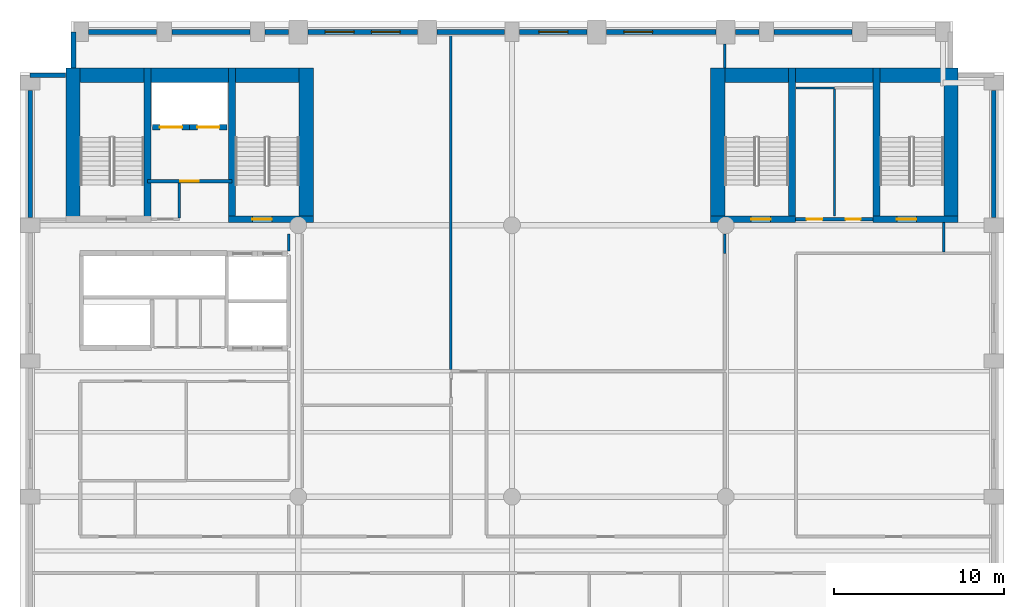
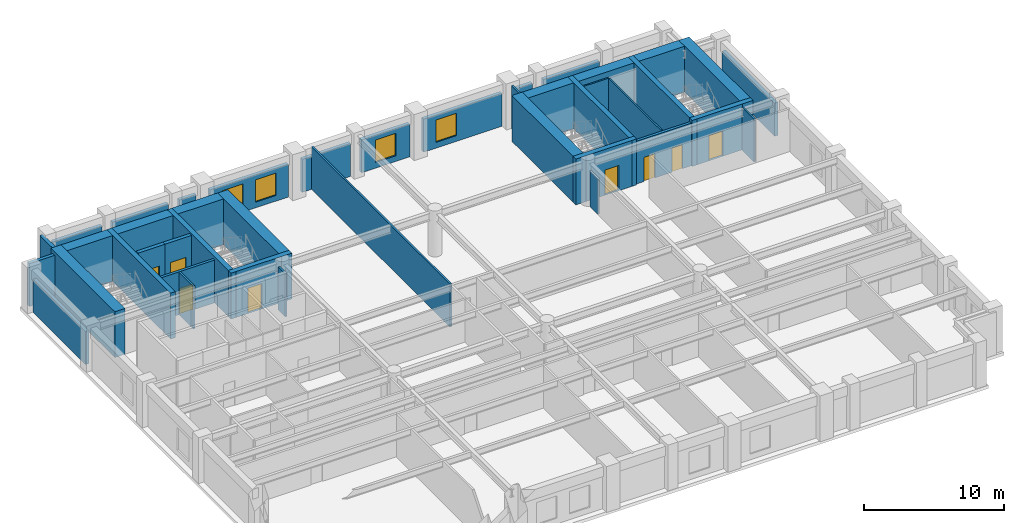
# One storey, part 5 of 8: 38 walls, 8 doors, 4 windows, 12 openings.
"""IFC4 building model written with IfcOpenShell, lengths in metres."""

from ifc_helpers import new_model, si_unit, direction, frame, frame_2d, origin, place, context, subcontext, project, spatial, rectangle, extrude, material, layer, layer_set, type_object, element, fill, save


model = new_model("IFC4")

# Units and contexts
model_context = context("Model", 3, precision=1e-05, world=origin(), true_north=direction((0.0, 1.0)))
body_context = subcontext(model_context, "Body", "Model", "MODEL_VIEW")
ifc_project = project(units=[si_unit("LENGTHUNIT", "METRE"), si_unit("AREAUNIT", "SQUARE_METRE"), si_unit("VOLUMEUNIT", "CUBIC_METRE"), si_unit("PLANEANGLEUNIT", "RADIAN"), si_unit("MASSUNIT", "GRAM", prefix="KILO")], contexts=[model_context])

# Site, building, storey
site_placement = place(None, origin())
site = spatial("IfcSite", under=ifc_project, at=site_placement, CompositionType="ELEMENT")
building_placement = place(site_placement, origin())
building = spatial("IfcBuilding", under=site, at=building_placement, Name="Sulina Concourse Tower", CompositionType="ELEMENT")
storey_placement = place(building_placement, frame((0.0, 0.0, 112.60009765625)))
storey = spatial("IfcBuildingStorey", under=building, at=storey_placement, Name="L27", CompositionType="ELEMENT", Elevation=112.60009765625)

# Wall, opening, door
ifc_material_1 = material(Name="Concrete C50/60", Category="concrete")
ifc_layer_1 = layer(ifc_material_1, 0.300048828125)
ifc_layer_set_1 = layer_set([ifc_layer_1], Name="Concrete C50/60")
wall_type_1 = type_object("IfcWallType", Name="Core Lift Hoistway Wall 300mm", PredefinedType="SOLIDWALL", material=ifc_layer_set_1)
wall_1_placement = place(storey_placement, frame((10.0, 39.780029296875, 0.0), z_axis=(0.0, 0.0, 1.0), x_axis=(-1.0, 0.0, 0.0)))
wall_1 = element("IfcWall", 1, at=wall_1_placement, inside=storey, type_object=wall_type_1, Name="L27 hoistway enclosure wall FFL-1", PredefinedType="SOLIDWALL", context=body_context, shape_type="SweptSolid", body=[
    extrude(rectangle(XDim=2.199951171875, YDim=0.300048828125, at=frame_2d((1.10009765625, 0.0))), origin(), (0.0, 0.0, 1.0), 4.0),
])
opening_1_placement = place(wall_1_placement, frame((0.449951171875, 0.0, 0.0)))
opening_1 = element("IfcOpeningElement", 2, at=opening_1_placement, cuts=wall_1, Name="Opening LD-02", PredefinedType="OPENING", context=body_context, shape_type="SweptSolid", body=[
    extrude(rectangle(XDim=1.300048828125, YDim=2.25, at=frame_2d((0.64990234375, 1.125))), frame((0.0, 0.159912109375, 0.0), z_axis=(0.0, -1.0, 0.0), x_axis=(1.0, 0.0, 0.0)), (0.0, 0.0, 1.0), 0.320068359375),
])
ifc_material_2 = material(Name="Stainless steel lift landing door", Category="steel")
ifc_layer_2 = layer(ifc_material_2, 0.050048828125)
ifc_layer_set_2 = layer_set([ifc_layer_2], Name="Stainless steel lift landing door")
door_type_1 = type_object("IfcDoorType", Name="Firefighting Lift Sliding Landing Door 1300x2250", OperationType="SLIDING_TO_RIGHT", PredefinedType="DOOR", material=ifc_layer_set_2)
door_1_placement = place(opening_1_placement, origin())
door_1 = element("IfcDoor", 3, at=door_1_placement, inside=storey, type_object=door_type_1, Name="L27 lift landing sliding door FFL-1", OperationType="SLIDING_TO_LEFT", OverallHeight=2.25, OverallWidth=1.300048828125, PredefinedType="DOOR", context=body_context, shape_type="SweptSolid", body=[
    extrude(rectangle(XDim=1.300048828125, YDim=2.25, at=frame_2d((0.64990234375, 1.125))), frame((0.0, 0.02490234375, 0.0), z_axis=(0.0, -1.0, 0.0), x_axis=(1.0, 0.0, 0.0)), (0.0, 0.0, 1.0), 0.050048828125),
])
fill(opening_1, door_1)

wall_2_placement = place(storey_placement, frame((12.199951171875, 39.780029296875, 0.0), z_axis=(0.0, 0.0, 1.0), x_axis=(-1.0, 0.0, 0.0)))
wall_2 = element("IfcWall", 4, at=wall_2_placement, inside=storey, type_object=wall_type_1, Name="L27 hoistway enclosure wall FFL-2", PredefinedType="SOLIDWALL", context=body_context, shape_type="SweptSolid", body=[
    extrude(rectangle(XDim=2.199951171875, YDim=0.300048828125, at=frame_2d((1.10009765625, 0.0))), origin(), (0.0, 0.0, 1.0), 4.0),
])
opening_2_placement = place(wall_2_placement, frame((0.449951171875, 0.0, 0.0)))
opening_2 = element("IfcOpeningElement", 5, at=opening_2_placement, cuts=wall_2, Name="Opening LD-02", PredefinedType="OPENING", context=body_context, shape_type="SweptSolid", body=[
    extrude(rectangle(XDim=1.300048828125, YDim=2.25, at=frame_2d((0.64990234375, 1.125))), frame((0.0, 0.159912109375, 0.0), z_axis=(0.0, -1.0, 0.0), x_axis=(1.0, 0.0, 0.0)), (0.0, 0.0, 1.0), 0.320068359375),
])
door_2_placement = place(opening_2_placement, origin())
door_2 = element("IfcDoor", 6, at=door_2_placement, inside=storey, type_object=door_type_1, Name="L27 lift landing sliding door FFL-2", OperationType="SLIDING_TO_RIGHT", OverallHeight=2.25, OverallWidth=1.300048828125, PredefinedType="DOOR", context=body_context, shape_type="SweptSolid", body=[
    extrude(rectangle(XDim=1.300048828125, YDim=2.25, at=frame_2d((0.64990234375, 1.125))), frame((0.0, 0.02490234375, 0.0), z_axis=(0.0, -1.0, 0.0), x_axis=(1.0, 0.0, 0.0)), (0.0, 0.0, 1.0), 0.050048828125),
])
fill(opening_2, door_2)

ifc_material_3 = material(Name="Gypsum board on steel stud", Category="steel")
ifc_layer_3 = layer(ifc_material_3, 0.219970703125)
ifc_layer_set_3 = layer_set([ifc_layer_3], Name="Gypsum board on steel stud")
wall_type_2 = type_object("IfcWallType", Name="Fire-Rated Lobby & Compartment Wall 220mm", PredefinedType="PARTITIONING", material=ifc_layer_set_3)
wall_3_placement = place(storey_placement, frame((7.510009765625, 36.60009765625, 0.0), z_axis=(0.0, 0.0, 1.0), x_axis=(1.0, 0.0, 0.0)))
wall_3 = element("IfcWall", 7, at=wall_3_placement, inside=storey, type_object=wall_type_2, Name="L27 firefighting lobby south fire wall", PredefinedType="PARTITIONING", context=body_context, shape_type="SweptSolid", body=[
    extrude(rectangle(XDim=4.97998046875, YDim=0.219970703125, at=frame_2d((2.489990234375, 0.0))), origin(), (0.0, 0.0, 1.0), 3.724853515625),
])
opening_3_placement = place(wall_3_placement, frame((1.93994140625, 0.0, 0.0)))
opening_3 = element("IfcOpeningElement", 8, at=opening_3_placement, cuts=wall_3, Name="Opening DR-47", PredefinedType="OPENING", context=body_context, shape_type="SweptSolid", body=[
    extrude(rectangle(XDim=1.10009765625, YDim=2.199951171875, at=frame_2d((0.550048828125, 1.10009765625))), frame((0.0, 0.119873046875, 0.0), z_axis=(0.0, -1.0, 0.0), x_axis=(1.0, 0.0, 0.0)), (0.0, 0.0, 1.0), 0.239990234375),
])
ifc_material_4 = material(Name="Galvanised steel acoustic fire leaf", Category="steel")
ifc_layer_4 = layer(ifc_material_4, 0.054931640625)
ifc_layer_set_4 = layer_set([ifc_layer_4], Name="Galvanised steel acoustic fire leaf")
door_type_2 = type_object("IfcDoorType", Name="Firefighting Lobby Fire Door 1100x2200", OperationType="NOTDEFINED", PredefinedType="DOOR", material=ifc_layer_set_4)
door_3_placement = place(opening_3_placement, origin())
door_3 = element("IfcDoor", 9, at=door_3_placement, inside=storey, type_object=door_type_2, Name="L27 firefighting lobby fire door", OperationType="SINGLE_SWING_RIGHT", OverallHeight=2.199951171875, OverallWidth=1.10009765625, PredefinedType="DOOR", context=body_context, shape_type="SweptSolid", body=[
    extrude(rectangle(XDim=1.10009765625, YDim=2.199951171875, at=frame_2d((0.550048828125, 1.10009765625))), frame((0.0, 0.02490234375, 0.0), z_axis=(0.0, -1.0, 0.0), x_axis=(1.0, 0.0, 0.0)), (0.0, 0.0, 1.0), 0.050048828125),
])
fill(opening_3, door_3)

# Wall, openings, doors
wall_4_placement = place(storey_placement, frame((45.719970703125, 34.35009765625, 0.0), z_axis=(0.0, 0.0, 1.0), x_axis=(1.0, 0.0, 0.0)))
wall_4 = element("IfcWall", 10, at=wall_4_placement, inside=storey, type_object=wall_type_2, Name="L27 east core south lobby wall", PredefinedType="PARTITIONING", context=body_context, shape_type="SweptSolid", body=[
    extrude(rectangle(XDim=4.56005859375, YDim=0.219970703125, at=frame_2d((2.280029296875, 0.0))), origin(), (0.0, 0.0, 1.0), 3.724853515625),
])
opening_4_placement = place(wall_4_placement, frame((0.64990234375, 0.0, 0.0)))
opening_4 = element("IfcOpeningElement", 11, at=opening_4_placement, cuts=wall_4, Name="Opening DR-61", PredefinedType="OPENING", context=body_context, shape_type="SweptSolid", body=[
    extrude(rectangle(XDim=0.919921875, YDim=2.10009765625, at=frame_2d((0.4599609375, 1.050048828125))), frame((0.0, 0.119873046875, 0.0), z_axis=(0.0, -1.0, 0.0), x_axis=(1.0, 0.0, 0.0)), (0.0, 0.0, 1.0), 0.239990234375),
])
opening_5_placement = place(wall_4_placement, frame((2.949951171875, 0.0, 0.0)))
opening_5 = element("IfcOpeningElement", 12, at=opening_5_placement, cuts=wall_4, Name="Opening DR-38", PredefinedType="OPENING", context=body_context, shape_type="SweptSolid", body=[
    extrude(rectangle(XDim=0.8798828125, YDim=2.10009765625, at=frame_2d((0.43994140625, 1.050048828125))), frame((0.0, 0.119873046875, 0.0), z_axis=(0.0, -1.0, 0.0), x_axis=(1.0, 0.0, 0.0)), (0.0, 0.0, 1.0), 0.239990234375),
])
ifc_material_5 = material(Name="Oak-veneered fire door leaf")
ifc_layer_5 = layer(ifc_material_5, 0.050048828125)
ifc_layer_set_5 = layer_set([ifc_layer_5], Name="Oak-veneered fire door leaf")
door_type_3 = type_object("IfcDoorType", Name="Accessible WC Door 920x2100", OperationType="NOTDEFINED", PredefinedType="DOOR", material=ifc_layer_set_5)
door_4_placement = place(opening_4_placement, origin())
door_4 = element("IfcDoor", 13, at=door_4_placement, inside=storey, type_object=door_type_3, Name="L27 east core accessible wc door", OperationType="SINGLE_SWING_RIGHT", OverallHeight=2.10009765625, OverallWidth=0.919921875, PredefinedType="DOOR", context=body_context, shape_type="SweptSolid", body=[
    extrude(rectangle(XDim=0.919921875, YDim=2.10009765625, at=frame_2d((0.4599609375, 1.050048828125))), frame((0.0, 0.02490234375, 0.0), z_axis=(0.0, -1.0, 0.0), x_axis=(1.0, 0.0, 0.0)), (0.0, 0.0, 1.0), 0.050048828125),
])
fill(opening_4, door_4)
ifc_material_6 = material(Name="Galvanised steel acoustic fire leaf", Category="steel")
ifc_layer_6 = layer(ifc_material_6, 0.050048828125)
ifc_layer_set_6 = layer_set([ifc_layer_6], Name="Galvanised steel acoustic fire leaf")
door_type_4 = type_object("IfcDoorType", Name="Service Riser Fire Door 880x2100", OperationType="NOTDEFINED", PredefinedType="DOOR", material=ifc_layer_set_6)
door_5_placement = place(opening_5_placement, origin())
door_5 = element("IfcDoor", 14, at=door_5_placement, inside=storey, type_object=door_type_4, Name="L27 east core store door", OperationType="SINGLE_SWING_LEFT", OverallHeight=2.10009765625, OverallWidth=0.8798828125, PredefinedType="DOOR", context=body_context, shape_type="SweptSolid", body=[
    extrude(rectangle(XDim=0.8798828125, YDim=2.10009765625, at=frame_2d((0.43994140625, 1.050048828125))), frame((0.0, 0.02490234375, 0.0), z_axis=(0.0, -1.0, 0.0), x_axis=(1.0, 0.0, 0.0)), (0.0, 0.0, 1.0), 0.050048828125),
])
fill(opening_5, door_5)

# Walls
ifc_material_7 = material(Name="Gypsum board on steel stud", Category="steel")
ifc_layer_7 = layer(ifc_material_7, 0.14990234375)
ifc_layer_set_7 = layer_set([ifc_layer_7], Name="Gypsum board on steel stud")
wall_type_3 = type_object("IfcWallType", Name="Inter-Tenancy Acoustic Partition 150mm", PredefinedType="PARTITIONING", material=ifc_layer_set_7)
wall_5_placement = place(storey_placement, frame((9.39990234375, 34.425048828125, 0.0), z_axis=(0.0, 0.0, 1.0), x_axis=(0.0, 1.0, 0.0)))
element("IfcWall", 15, at=wall_5_placement, inside=storey, type_object=wall_type_3, Name="L27 interior partition 034", PredefinedType="PARTITIONING", context=body_context, shape_type="SweptSolid", body=[
    extrude(rectangle(XDim=2.06494140625, YDim=0.14990234375, at=frame_2d((1.032470703125, 0.0))), origin(), (0.0, 0.0, 1.0), 3.724853515625),
])
wall_6_placement = place(storey_placement, frame((15.85009765625, 32.469970703125, 0.0), z_axis=(0.0, 0.0, 1.0), x_axis=(0.0, 1.0, 0.0)))
element("IfcWall", 16, at=wall_6_placement, inside=storey, type_object=wall_type_3, Name="L27 interior partition 041", PredefinedType="PARTITIONING", context=body_context, shape_type="SweptSolid", body=[
    extrude(rectangle(XDim=1.030029296875, YDim=0.14990234375, at=frame_2d((0.51513671875, 0.0))), origin(), (0.0, 0.0, 1.0), 3.724853515625),
])
wall_7_placement = place(storey_placement, frame((25.39990234375, 25.489990234375, 0.0), z_axis=(0.0, 0.0, 1.0), x_axis=(0.0, 1.0, 0.0)))
element("IfcWall", 17, at=wall_7_placement, inside=storey, type_object=wall_type_3, Name="L27 interior partition 047", PredefinedType="PARTITIONING", context=body_context, shape_type="SweptSolid", body=[
    extrude(rectangle(XDim=19.77001953125, YDim=0.14990234375, at=frame_2d((9.885009765625, 0.0))), origin(), (0.0, 0.0, 1.0), 3.724853515625),
])
wall_8_placement = place(storey_placement, frame((41.550048828125, 32.35009765625, 0.0), z_axis=(0.0, 0.0, 1.0), x_axis=(0.0, 1.0, 0.0)))
element("IfcWall", 18, at=wall_8_placement, inside=storey, type_object=wall_type_3, Name="L27 interior partition 055", PredefinedType="PARTITIONING", context=body_context, shape_type="SweptSolid", body=[
    extrude(rectangle(XDim=1.14990234375, YDim=0.14990234375, at=frame_2d((0.574951171875, 0.0))), origin(), (0.0, 0.0, 1.0), 3.06982421875),
])
wall_9_placement = place(storey_placement, frame((41.550048828125, 43.280029296875, 0.0), z_axis=(0.0, 0.0, 1.0), x_axis=(0.0, 1.0, 0.0)))
element("IfcWall", 19, at=wall_9_placement, inside=storey, type_object=wall_type_3, Name="L27 interior partition 056", PredefinedType="PARTITIONING", context=body_context, shape_type="SweptSolid", body=[
    extrude(rectangle(XDim=1.419921875, YDim=0.14990234375, at=frame_2d((0.7099609375, 0.0))), origin(), (0.0, 0.0, 1.0), 3.724853515625),
])
wall_10_placement = place(storey_placement, frame((54.449951171875, 32.425048828125, 0.0), z_axis=(0.0, 0.0, 1.0), x_axis=(0.0, 1.0, 0.0)))
element("IfcWall", 20, at=wall_10_placement, inside=storey, type_object=wall_type_3, Name="L27 interior partition 060", PredefinedType="PARTITIONING", context=body_context, shape_type="SweptSolid", body=[
    extrude(rectangle(XDim=1.724853515625, YDim=0.14990234375, at=frame_2d((0.8623046875, 0.0))), origin(), (0.0, 0.0, 1.0), 3.724853515625),
])

# Wall, opening, door
ifc_material_8 = material(Name="Concrete C60/75", Category="concrete")
ifc_layer_8 = layer(ifc_material_8, 0.39990234375)
ifc_layer_set_8 = layer_set([ifc_layer_8], Name="Concrete C60/75")
wall_type_4 = type_object("IfcWallType", Name="Protected Stair Core Shear Wall 400mm", PredefinedType="SHEAR", material=ifc_layer_set_8)
wall_11_placement = place(storey_placement, frame((12.2900390625, 34.35009765625, 0.0), z_axis=(0.0, 0.0, 1.0), x_axis=(1.0, 0.0, 0.0)))
wall_11 = element("IfcWall", 21, at=wall_11_placement, inside=storey, type_object=wall_type_4, Name="L27 west core shear wall CW-WS2", PredefinedType="SHEAR", context=body_context, shape_type="SweptSolid", body=[
    extrude(rectangle(XDim=5.010009765625, YDim=0.39990234375, at=frame_2d((2.5048828125, 0.0))), origin(), (0.0, 0.0, 1.0), 4.0),
])
opening_6_placement = place(wall_11_placement, frame((1.39990234375, 0.0, 0.0)))
opening_6 = element("IfcOpeningElement", 22, at=opening_6_placement, cuts=wall_11, Name="Opening DR-60", PredefinedType="OPENING", context=body_context, shape_type="SweptSolid", body=[
    extrude(rectangle(XDim=1.14990234375, YDim=2.199951171875, at=frame_2d((0.574951171875, 1.10009765625))), frame((0.0, 0.2099609375, 0.0), z_axis=(0.0, -1.0, 0.0), x_axis=(1.0, 0.0, 0.0)), (0.0, 0.0, 1.0), 0.419921875),
])
ifc_material_9 = material(Name="Galvanised steel acoustic fire leaf", Category="steel")
ifc_layer_9 = layer(ifc_material_9, 0.054931640625)
ifc_layer_set_9 = layer_set([ifc_layer_9], Name="Galvanised steel acoustic fire leaf")
door_type_5 = type_object("IfcDoorType", Name="Protected Exit Stair Fire Door 1150x2200", OperationType="NOTDEFINED", PredefinedType="DOOR", material=ifc_layer_set_9)
door_6_placement = place(opening_6_placement, origin())
door_6 = element("IfcDoor", 23, at=door_6_placement, inside=storey, type_object=door_type_5, Name="L27 stair ST-2 lobby fire door", OperationType="SINGLE_SWING_LEFT", OverallHeight=2.199951171875, OverallWidth=1.14990234375, PredefinedType="DOOR", context=body_context, shape_type="SweptSolid", body=[
    extrude(rectangle(XDim=1.14990234375, YDim=2.199951171875, at=frame_2d((0.574951171875, 1.10009765625))), frame((0.0, 0.02490234375, 0.0), z_axis=(0.0, -1.0, 0.0), x_axis=(1.0, 0.0, 0.0)), (0.0, 0.0, 1.0), 0.050048828125),
])
fill(opening_6, door_6)

# Walls
for number, where, z_axis, x_axis, name in (
    (24, (7.510009765625, 34.14990234375, 0.0), (0.0, 0.0, 1.0), (0.0, 1.0, 0.0), "L27 west core shear wall SW-ST1"),
    (25, (12.489990234375, 34.14990234375, 0.0), (0.0, 0.0, 1.0), (0.0, 1.0, 0.0), "L27 west core shear wall SW-ST2"),
):
    element("IfcWall", number, at=place(storey_placement, frame(where, z_axis=z_axis, x_axis=x_axis)), inside=storey, type_object=wall_type_4, Name=name, PredefinedType="SHEAR", context=body_context, shape_type="SweptSolid", body=[
        extrude(rectangle(XDim=9.130126953125, YDim=0.39990234375, at=frame_2d((4.56494140625, 0.0))), origin(), (0.0, 0.0, 1.0), 4.0),
    ])

# Wall, opening, door
wall_12_placement = place(storey_placement, frame((40.699951171875, 34.35009765625, 0.0), z_axis=(0.0, 0.0, 1.0), x_axis=(1.0, 0.0, 0.0)))
wall_12 = element("IfcWall", 26, at=wall_12_placement, inside=storey, type_object=wall_type_4, Name="L27 east core shear wall CW-ES1", PredefinedType="SHEAR", context=body_context, shape_type="SweptSolid", body=[
    extrude(rectangle(XDim=5.010009765625, YDim=0.39990234375, at=frame_2d((2.5048828125, 0.0))), origin(), (0.0, 0.0, 1.0), 4.0),
])
opening_7_placement = place(wall_12_placement, frame((2.39990234375, 0.0, 0.0)))
opening_7 = element("IfcOpeningElement", 27, at=opening_7_placement, cuts=wall_12, Name="Opening DR-60", PredefinedType="OPENING", context=body_context, shape_type="SweptSolid", body=[
    extrude(rectangle(XDim=1.14990234375, YDim=2.199951171875, at=frame_2d((0.574951171875, 1.10009765625))), frame((0.0, 0.2099609375, 0.0), z_axis=(0.0, -1.0, 0.0), x_axis=(1.0, 0.0, 0.0)), (0.0, 0.0, 1.0), 0.419921875),
])
door_7_placement = place(opening_7_placement, origin())
door_7 = element("IfcDoor", 28, at=door_7_placement, inside=storey, type_object=door_type_5, Name="L27 stair ST-3 south lobby fire door", OperationType="SINGLE_SWING_LEFT", OverallHeight=2.199951171875, OverallWidth=1.14990234375, PredefinedType="DOOR", context=body_context, shape_type="SweptSolid", body=[
    extrude(rectangle(XDim=1.14990234375, YDim=2.199951171875, at=frame_2d((0.574951171875, 1.10009765625))), frame((0.0, 0.02490234375, 0.0), z_axis=(0.0, -1.0, 0.0), x_axis=(1.0, 0.0, 0.0)), (0.0, 0.0, 1.0), 0.050048828125),
])
fill(opening_7, door_7)

# Wall
wall_13_placement = place(storey_placement, frame((45.510009765625, 34.14990234375, 0.0), z_axis=(0.0, 0.0, 1.0), x_axis=(0.0, 1.0, 0.0)))
element("IfcWall", 29, at=wall_13_placement, inside=storey, type_object=wall_type_4, Name="L27 east core shear wall SW-ST3", PredefinedType="SHEAR", context=body_context, shape_type="SweptSolid", body=[
    extrude(rectangle(XDim=9.130126953125, YDim=0.39990234375, at=frame_2d((4.56494140625, 0.0))), origin(), (0.0, 0.0, 1.0), 4.0),
])

# Wall, opening, door
wall_14_placement = place(storey_placement, frame((50.2900390625, 34.35009765625, 0.0), z_axis=(0.0, 0.0, 1.0), x_axis=(1.0, 0.0, 0.0)))
wall_14 = element("IfcWall", 30, at=wall_14_placement, inside=storey, type_object=wall_type_4, Name="L27 east core shear wall CW-ES2", PredefinedType="SHEAR", context=body_context, shape_type="SweptSolid", body=[
    extrude(rectangle(XDim=5.010009765625, YDim=0.39990234375, at=frame_2d((2.5048828125, 0.0))), origin(), (0.0, 0.0, 1.0), 4.0),
])
opening_8_placement = place(wall_14_placement, frame((1.39990234375, 0.0, 0.0)))
opening_8 = element("IfcOpeningElement", 31, at=opening_8_placement, cuts=wall_14, Name="Opening DR-60", PredefinedType="OPENING", context=body_context, shape_type="SweptSolid", body=[
    extrude(rectangle(XDim=1.14990234375, YDim=2.199951171875, at=frame_2d((0.574951171875, 1.10009765625))), frame((0.0, 0.2099609375, 0.0), z_axis=(0.0, -1.0, 0.0), x_axis=(1.0, 0.0, 0.0)), (0.0, 0.0, 1.0), 0.419921875),
])
door_8_placement = place(opening_8_placement, origin())
door_8 = element("IfcDoor", 32, at=door_8_placement, inside=storey, type_object=door_type_5, Name="L27 stair ST-4 south lobby fire door", OperationType="SINGLE_SWING_RIGHT", OverallHeight=2.199951171875, OverallWidth=1.14990234375, PredefinedType="DOOR", context=body_context, shape_type="SweptSolid", body=[
    extrude(rectangle(XDim=1.14990234375, YDim=2.199951171875, at=frame_2d((0.574951171875, 1.10009765625))), frame((0.0, 0.02490234375, 0.0), z_axis=(0.0, -1.0, 0.0), x_axis=(1.0, 0.0, 0.0)), (0.0, 0.0, 1.0), 0.050048828125),
])
fill(opening_8, door_8)

# Walls
wall_15_placement = place(storey_placement, frame((50.489990234375, 34.14990234375, 0.0), z_axis=(0.0, 0.0, 1.0), x_axis=(0.0, 1.0, 0.0)))
element("IfcWall", 33, at=wall_15_placement, inside=storey, type_object=wall_type_4, Name="L27 east core shear wall SW-ST4", PredefinedType="SHEAR", context=body_context, shape_type="SweptSolid", body=[
    extrude(rectangle(XDim=9.130126953125, YDim=0.39990234375, at=frame_2d((4.56494140625, 0.0))), origin(), (0.0, 0.0, 1.0), 4.0),
])
ifc_material_10 = material(Name="Concrete C60/75", Category="concrete")
ifc_layer_10 = layer(ifc_material_10, 0.85009765625)
ifc_layer_set_10 = layer_set([ifc_layer_10], Name="Concrete C60/75")
wall_type_5 = type_object("IfcWallType", Name="Rear Core Shear Wall 850mm", PredefinedType="SHEAR", material=ifc_layer_set_10)
wall_16_placement = place(storey_placement, frame((2.699951171875, 42.85498046875, 0.0), z_axis=(0.0, 0.0, 1.0), x_axis=(1.0, 0.0, 0.0)))
element("IfcWall", 34, at=wall_16_placement, inside=storey, type_object=wall_type_5, Name="L27 west core shear wall CW-WN", PredefinedType="SHEAR", context=body_context, shape_type="SweptSolid", body=[
    extrude(rectangle(XDim=14.60009765625, YDim=0.85009765625, at=frame_2d((7.300048828125, 0.0))), origin(), (0.0, 0.0, 1.0), 4.0),
])
for number, where, z_axis, x_axis, name in (
    (35, (3.125, 34.14990234375, 0.0), (0.0, 0.0, 1.0), (0.0, 1.0, 0.0), "L27 west core shear wall CW-WW"),
    (36, (16.875, 34.14990234375, 0.0), (0.0, 0.0, 1.0), (0.0, 1.0, 0.0), "L27 west core shear wall CW-WE"),
):
    element("IfcWall", number, at=place(storey_placement, frame(where, z_axis=z_axis, x_axis=x_axis)), inside=storey, type_object=wall_type_5, Name=name, PredefinedType="SHEAR", context=body_context, shape_type="SweptSolid", body=[
        extrude(rectangle(XDim=9.130126953125, YDim=0.85009765625, at=frame_2d((4.56494140625, 0.0))), origin(), (0.0, 0.0, 1.0), 4.0),
    ])
wall_17_placement = place(storey_placement, frame((40.699951171875, 42.85498046875, 0.0), z_axis=(0.0, 0.0, 1.0), x_axis=(1.0, 0.0, 0.0)))
element("IfcWall", 37, at=wall_17_placement, inside=storey, type_object=wall_type_5, Name="L27 east core shear wall CW-EN", PredefinedType="SHEAR", context=body_context, shape_type="SweptSolid", body=[
    extrude(rectangle(XDim=14.60009765625, YDim=0.85009765625, at=frame_2d((7.300048828125, 0.0))), origin(), (0.0, 0.0, 1.0), 4.0),
])
for number, where, z_axis, x_axis, name in (
    (38, (41.125, 34.14990234375, 0.0), (0.0, 0.0, 1.0), (0.0, 1.0, 0.0), "L27 east core shear wall CW-EW"),
    (39, (54.875, 34.14990234375, 0.0), (0.0, 0.0, 1.0), (0.0, 1.0, 0.0), "L27 east core shear wall CW-EE"),
):
    element("IfcWall", number, at=place(storey_placement, frame(where, z_axis=z_axis, x_axis=x_axis)), inside=storey, type_object=wall_type_5, Name=name, PredefinedType="SHEAR", context=body_context, shape_type="SweptSolid", body=[
        extrude(rectangle(XDim=9.130126953125, YDim=0.85009765625, at=frame_2d((4.56494140625, 0.0))), origin(), (0.0, 0.0, 1.0), 4.0),
    ])
ifc_material_11 = material(Name="Precast concrete C50/60", Category="concrete")
ifc_layer_11 = layer(ifc_material_11, 0.280029296875)
ifc_layer_set_11 = layer_set([ifc_layer_11], Name="Precast concrete C50/60")
wall_type_6 = type_object("IfcWallType", Name="Typical Precast Masonry-Frame Facade Wall 280mm", PredefinedType="SOLIDWALL", material=ifc_layer_set_11)
wall_18_placement = place(storey_placement, frame((0.60009765625, 34.445068359375, 0.0), z_axis=(0.0, 0.0, 1.0), x_axis=(0.0, 1.0, 0.0)))
element("IfcWall", 40, at=wall_18_placement, inside=storey, type_object=wall_type_6, Name="L27 exterior precast wall W5", PredefinedType="SOLIDWALL", context=body_context, shape_type="SweptSolid", body=[
    extrude(rectangle(XDim=7.510009765625, YDim=0.280029296875, at=frame_2d((3.7548828125, 0.0))), origin(), (0.0, 0.0, 1.0), 2.875),
])
wall_19_placement = place(storey_placement, frame((4.044921875, 45.39990234375, 0.0), z_axis=(0.0, 0.0, 1.0), x_axis=(1.0, 0.0, 0.0)))
element("IfcWall", 41, at=wall_19_placement, inside=storey, type_object=wall_type_6, Name="L27 exterior precast wall N1", PredefinedType="SOLIDWALL", context=body_context, shape_type="SweptSolid", body=[
    extrude(rectangle(XDim=4.010009765625, YDim=0.280029296875, at=frame_2d((2.0048828125, 0.0))), origin(), (0.0, 0.0, 1.0), 2.875),
])
wall_20_placement = place(storey_placement, frame((8.945068359375, 45.39990234375, 0.0), z_axis=(0.0, 0.0, 1.0), x_axis=(1.0, 0.0, 0.0)))
element("IfcWall", 42, at=wall_20_placement, inside=storey, type_object=wall_type_6, Name="L27 exterior precast wall N2", PredefinedType="SOLIDWALL", context=body_context, shape_type="SweptSolid", body=[
    extrude(rectangle(XDim=4.60986328125, YDim=0.280029296875, at=frame_2d((2.304931640625, 0.0))), origin(), (0.0, 0.0, 1.0), 2.875),
])
wall_21_placement = place(storey_placement, frame((14.445068359375, 45.39990234375, 0.0), z_axis=(0.0, 0.0, 1.0), x_axis=(1.0, 0.0, 0.0)))
element("IfcWall", 43, at=wall_21_placement, inside=storey, type_object=wall_type_6, Name="L27 exterior precast wall N3", PredefinedType="SOLIDWALL", context=body_context, shape_type="SweptSolid", body=[
    extrude(rectangle(XDim=1.385009765625, YDim=0.280029296875, at=frame_2d((0.6923828125, 0.0))), origin(), (0.0, 0.0, 1.0), 2.875),
])

# Wall, openings, windows
wall_22_placement = place(storey_placement, frame((16.969970703125, 45.39990234375, 0.0), z_axis=(0.0, 0.0, 1.0), x_axis=(1.0, 0.0, 0.0)))
wall_22 = element("IfcWall", 44, at=wall_22_placement, inside=storey, type_object=wall_type_6, Name="L27 exterior precast wall N4", PredefinedType="SOLIDWALL", context=body_context, shape_type="SweptSolid", body=[
    extrude(rectangle(XDim=6.4599609375, YDim=0.280029296875, at=frame_2d((3.22998046875, 0.0))), origin(), (0.0, 0.0, 1.0), 2.875),
])
opening_9_placement = place(wall_22_placement, frame((1.02001953125, 0.0, 0.5)))
opening_9 = element("IfcOpeningElement", 45, at=opening_9_placement, cuts=wall_22, Name="Opening WN-66", PredefinedType="OPENING", context=body_context, shape_type="SweptSolid", body=[
    extrude(rectangle(XDim=1.699951171875, YDim=1.949951171875, at=frame_2d((0.85009765625, 0.97509765625))), frame((0.0, 0.14990234375, 0.0), z_axis=(0.0, -1.0, 0.0), x_axis=(1.0, 0.0, 0.0)), (0.0, 0.0, 1.0), 0.300048828125),
])
opening_10_placement = place(wall_22_placement, frame((3.739990234375, 0.0, 0.5)))
opening_10 = element("IfcOpeningElement", 46, at=opening_10_placement, cuts=wall_22, Name="Opening WN-66", PredefinedType="OPENING", context=body_context, shape_type="SweptSolid", body=[
    extrude(rectangle(XDim=1.699951171875, YDim=1.949951171875, at=frame_2d((0.85009765625, 0.97509765625))), frame((0.0, 0.14990234375, 0.0), z_axis=(0.0, -1.0, 0.0), x_axis=(1.0, 0.0, 0.0)), (0.0, 0.0, 1.0), 0.300048828125),
])
ifc_material_12 = material(Name="Low-E solar double glazing in bronze aluminium", Category="aluminium")
window_type = type_object("IfcWindowType", Name="Recessed Spandrel Window 1700x1950", PartitioningType="SINGLE_PANEL", PredefinedType="WINDOW", material=ifc_material_12)
window_1_placement = place(opening_9_placement, origin())
window_1 = element("IfcWindow", 47, at=window_1_placement, inside=storey, type_object=window_type, Name="L27 punched window N4-1", OverallHeight=1.949951171875, OverallWidth=1.699951171875, PartitioningType="SINGLE_PANEL", PredefinedType="WINDOW", context=body_context, shape_type="SweptSolid", body=[
    extrude(rectangle(XDim=1.699951171875, YDim=1.949951171875, at=frame_2d((0.85009765625, 0.97509765625))), frame((0.0, 0.030029296875, 0.0), z_axis=(0.0, -1.0, 0.0), x_axis=(1.0, 0.0, 0.0)), (0.0, 0.0, 1.0), 0.06005859375),
])
fill(opening_9, window_1)
window_2_placement = place(opening_10_placement, origin())
window_2 = element("IfcWindow", 48, at=window_2_placement, inside=storey, type_object=window_type, Name="L27 punched window N4-2", OverallHeight=1.949951171875, OverallWidth=1.699951171875, PartitioningType="SINGLE_PANEL", PredefinedType="WINDOW", context=body_context, shape_type="SweptSolid", body=[
    extrude(rectangle(XDim=1.699951171875, YDim=1.949951171875, at=frame_2d((0.85009765625, 0.97509765625))), frame((0.0, 0.030029296875, 0.0), z_axis=(0.0, -1.0, 0.0), x_axis=(1.0, 0.0, 0.0)), (0.0, 0.0, 1.0), 0.06005859375),
])
fill(opening_10, window_2)

# Wall
wall_23_placement = place(storey_placement, frame((24.570068359375, 45.39990234375, 0.0), z_axis=(0.0, 0.0, 1.0), x_axis=(1.0, 0.0, 0.0)))
element("IfcWall", 49, at=wall_23_placement, inside=storey, type_object=wall_type_6, Name="L27 exterior precast wall N5", PredefinedType="SOLIDWALL", context=body_context, shape_type="SweptSolid", body=[
    extrude(rectangle(XDim=3.98486328125, YDim=0.280029296875, at=frame_2d((1.992431640625, 0.0))), origin(), (0.0, 0.0, 1.0), 2.875),
])

# Wall, opening, window
wall_24_placement = place(storey_placement, frame((29.445068359375, 45.39990234375, 0.0), z_axis=(0.0, 0.0, 1.0), x_axis=(1.0, 0.0, 0.0)))
wall_24 = element("IfcWall", 50, at=wall_24_placement, inside=storey, type_object=wall_type_6, Name="L27 exterior precast wall N6", PredefinedType="SOLIDWALL", context=body_context, shape_type="SweptSolid", body=[
    extrude(rectangle(XDim=3.98486328125, YDim=0.280029296875, at=frame_2d((1.992431640625, 0.0))), origin(), (0.0, 0.0, 1.0), 2.875),
])
opening_11_placement = place(wall_24_placement, frame((1.142578125, 0.0, 0.5)))
opening_11 = element("IfcOpeningElement", 51, at=opening_11_placement, cuts=wall_24, Name="Opening WN-66", PredefinedType="OPENING", context=body_context, shape_type="SweptSolid", body=[
    extrude(rectangle(XDim=1.699951171875, YDim=1.949951171875, at=frame_2d((0.85009765625, 0.97509765625))), frame((0.0, 0.14990234375, 0.0), z_axis=(0.0, -1.0, 0.0), x_axis=(1.0, 0.0, 0.0)), (0.0, 0.0, 1.0), 0.300048828125),
])
window_3_placement = place(opening_11_placement, origin())
window_3 = element("IfcWindow", 52, at=window_3_placement, inside=storey, type_object=window_type, Name="L27 punched window N6-1", OverallHeight=1.949951171875, OverallWidth=1.699951171875, PartitioningType="SINGLE_PANEL", PredefinedType="WINDOW", context=body_context, shape_type="SweptSolid", body=[
    extrude(rectangle(XDim=1.699951171875, YDim=1.949951171875, at=frame_2d((0.85009765625, 0.97509765625))), frame((0.0, 0.030029296875, 0.0), z_axis=(0.0, -1.0, 0.0), x_axis=(1.0, 0.0, 0.0)), (0.0, 0.0, 1.0), 0.06005859375),
])
fill(opening_11, window_3)

wall_25_placement = place(storey_placement, frame((34.570068359375, 45.39990234375, 0.0), z_axis=(0.0, 0.0, 1.0), x_axis=(1.0, 0.0, 0.0)))
wall_25 = element("IfcWall", 53, at=wall_25_placement, inside=storey, type_object=wall_type_6, Name="L27 exterior precast wall N7", PredefinedType="SOLIDWALL", context=body_context, shape_type="SweptSolid", body=[
    extrude(rectangle(XDim=6.4599609375, YDim=0.280029296875, at=frame_2d((3.22998046875, 0.0))), origin(), (0.0, 0.0, 1.0), 2.875),
])
opening_12_placement = place(wall_25_placement, frame((1.02001953125, 0.0, 0.5)))
opening_12 = element("IfcOpeningElement", 54, at=opening_12_placement, cuts=wall_25, Name="Opening WN-66", PredefinedType="OPENING", context=body_context, shape_type="SweptSolid", body=[
    extrude(rectangle(XDim=1.699951171875, YDim=1.949951171875, at=frame_2d((0.85009765625, 0.97509765625))), frame((0.0, 0.14990234375, 0.0), z_axis=(0.0, -1.0, 0.0), x_axis=(1.0, 0.0, 0.0)), (0.0, 0.0, 1.0), 0.300048828125),
])
window_4_placement = place(opening_12_placement, origin())
window_4 = element("IfcWindow", 55, at=window_4_placement, inside=storey, type_object=window_type, Name="L27 punched window N7-1", OverallHeight=1.949951171875, OverallWidth=1.699951171875, PartitioningType="SINGLE_PANEL", PredefinedType="WINDOW", context=body_context, shape_type="SweptSolid", body=[
    extrude(rectangle(XDim=1.699951171875, YDim=1.949951171875, at=frame_2d((0.85009765625, 0.97509765625))), frame((0.0, 0.030029296875, 0.0), z_axis=(0.0, -1.0, 0.0), x_axis=(1.0, 0.0, 0.0)), (0.0, 0.0, 1.0), 0.06005859375),
])
fill(opening_12, window_4)

# Walls
wall_26_placement = place(storey_placement, frame((42.169921875, 45.39990234375, 0.0), z_axis=(0.0, 0.0, 1.0), x_axis=(1.0, 0.0, 0.0)))
element("IfcWall", 56, at=wall_26_placement, inside=storey, type_object=wall_type_6, Name="L27 exterior precast wall N8", PredefinedType="SOLIDWALL", context=body_context, shape_type="SweptSolid", body=[
    extrude(rectangle(XDim=1.385009765625, YDim=0.280029296875, at=frame_2d((0.6923828125, 0.0))), origin(), (0.0, 0.0, 1.0), 2.875),
])
wall_27_placement = place(storey_placement, frame((44.445068359375, 45.39990234375, 0.0), z_axis=(0.0, 0.0, 1.0), x_axis=(1.0, 0.0, 0.0)))
element("IfcWall", 57, at=wall_27_placement, inside=storey, type_object=wall_type_6, Name="L27 exterior precast wall N9", PredefinedType="SOLIDWALL", context=body_context, shape_type="SweptSolid", body=[
    extrude(rectangle(XDim=4.60986328125, YDim=0.280029296875, at=frame_2d((2.304931640625, 0.0))), origin(), (0.0, 0.0, 1.0), 2.875),
])
wall_28_placement = place(storey_placement, frame((57.39990234375, 41.955078125, 0.0), z_axis=(0.0, 0.0, 1.0), x_axis=(0.0, -1.0, 0.0)))
element("IfcWall", 58, at=wall_28_placement, inside=storey, type_object=wall_type_6, Name="L27 exterior precast wall E5", PredefinedType="SOLIDWALL", context=body_context, shape_type="SweptSolid", body=[
    extrude(rectangle(XDim=7.510009765625, YDim=0.280029296875, at=frame_2d((3.7548828125, 0.0))), origin(), (0.0, 0.0, 1.0), 2.875),
])
wall_29_placement = place(storey_placement, frame((0.60009765625, 42.844970703125, 0.0), z_axis=(0.0, 0.0, 1.0), x_axis=(1.0, 0.0, 0.0)))
element("IfcWall", 59, at=wall_29_placement, inside=storey, type_object=wall_type_6, Name="L27 exterior precast wall CNW1", PredefinedType="SOLIDWALL", context=body_context, shape_type="SweptSolid", body=[
    extrude(rectangle(XDim=2.094970703125, YDim=0.280029296875, at=frame_2d((1.04736328125, 0.0))), origin(), (0.0, 0.0, 1.0), 3.724853515625),
])
wall_30_placement = place(storey_placement, frame((3.155029296875, 43.284912109375, 0.0), z_axis=(0.0, 0.0, 1.0), x_axis=(0.0, 1.0, 0.0)))
element("IfcWall", 60, at=wall_30_placement, inside=storey, type_object=wall_type_6, Name="L27 exterior precast wall CNW2", PredefinedType="SOLIDWALL", context=body_context, shape_type="SweptSolid", body=[
    extrude(rectangle(XDim=2.114990234375, YDim=0.280029296875, at=frame_2d((1.0576171875, 0.0))), origin(), (0.0, 0.0, 1.0), 3.724853515625),
])
ifc_material_13 = material(Name="Gypsum board on steel stud", Category="steel")
ifc_layer_12 = layer(ifc_material_13, 0.125)
ifc_layer_set_12 = layer_set([ifc_layer_12], Name="Gypsum board on steel stud")
wall_type_7 = type_object("IfcWallType", Name="Wet-Area Moisture-Resistant Partition 125mm", PredefinedType="PARTITIONING", material=ifc_layer_set_12)
wall_31_placement = place(storey_placement, frame((45.75, 42.10009765625, 0.0), z_axis=(0.0, 0.0, 1.0), x_axis=(1.0, 0.0, 0.0)))
element("IfcWall", 61, at=wall_31_placement, inside=storey, type_object=wall_type_7, Name="L27 interior partition 028", PredefinedType="PARTITIONING", context=body_context, shape_type="SweptSolid", body=[
    extrude(rectangle(XDim=2.25, YDim=0.125, at=frame_2d((1.125, 0.0))), origin(), (0.0, 0.0, 1.0), 3.724853515625),
])
wall_32_placement = place(storey_placement, frame((48.0, 34.550048828125, 0.0), z_axis=(0.0, 0.0, 1.0), x_axis=(0.0, 1.0, 0.0)))
element("IfcWall", 62, at=wall_32_placement, inside=storey, type_object=wall_type_7, Name="L27 interior partition 058", PredefinedType="PARTITIONING", context=body_context, shape_type="SweptSolid", body=[
    extrude(rectangle(XDim=7.474853515625, YDim=0.125, at=frame_2d((3.7373046875, 0.0))), origin(), (0.0, 0.0, 1.0), 3.724853515625),
])

save(model, "model.ifc")
